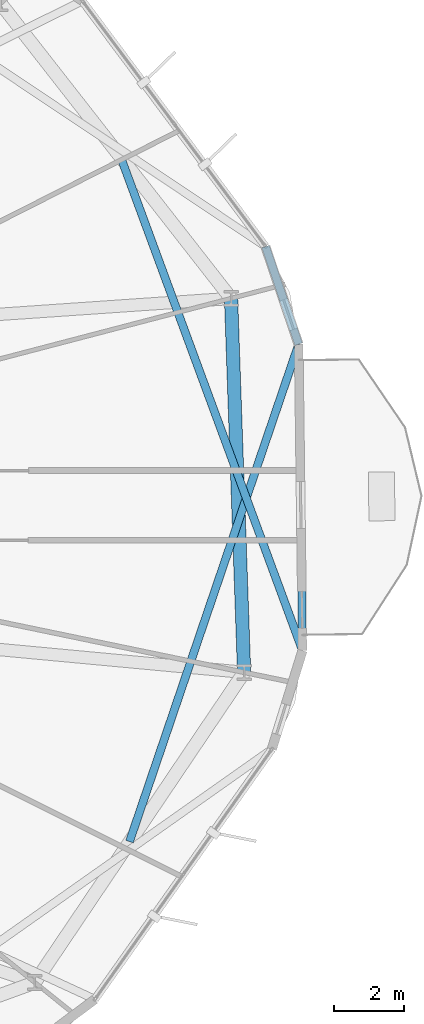
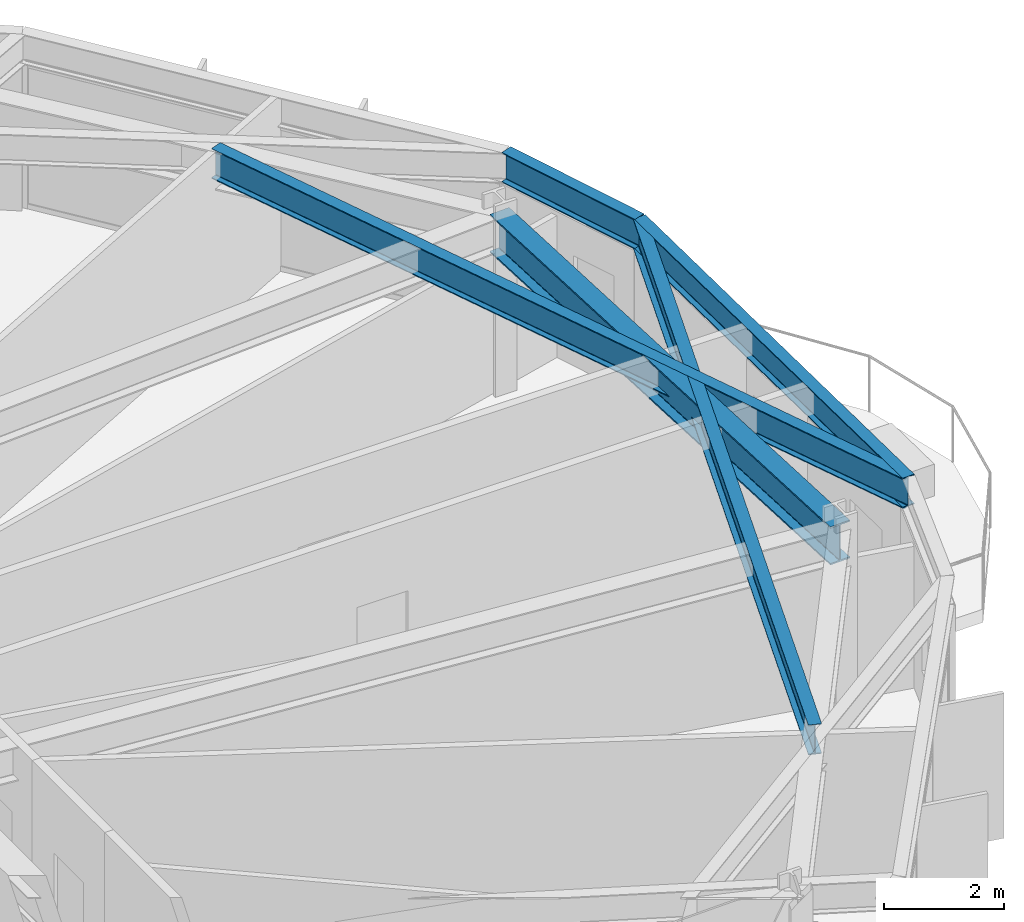
# One storey, part 13 of 25: 5 beams.
"""IFC4 building model written with IfcOpenShell, lengths in metres."""

import ifcopenshell
import ifcopenshell.guid

model = None  # the IFC model being written
_history = None  # IfcOwnerHistory: only IFC2X3 demands one
_inside = {}  # id of a spatial element -> (the spatial element, [elements in it])
_under = {}  # id of a project, library or spatial element -> (it, [spatial elements below it])
_declared = {}  # id of a project -> (the project, [libraries it declares])
_typed = {}  # id of a type object -> (the type object, [elements of that type])
_made_of = {}  # id of a material, layer set ... -> (it, [elements and type objects made of it])


def new_model(schema):
    """Start an empty IFC model of exactly this schema.

    Asked for "IFC4X3", IfcOpenShell would pick the latest addendum, in which some entities
    have other attributes; the version numbers below select the first issue.
    IFC2X3 requires an IfcOwnerHistory on every rooted entity: one is made here for all.
    """
    global model, _history
    if schema == "IFC4X3":
        model = ifcopenshell.file(schema_version=(4, 3, 0, 0))
    else:
        model = ifcopenshell.file(schema=schema)
    _inside.clear()
    _under.clear()
    _declared.clear()
    _typed.clear()
    _made_of.clear()
    _history = None
    if model.schema == "IFC2X3":
        org = make("IfcOrganization", Name="unknown")
        user = make(
            "IfcPersonAndOrganization",
            ThePerson=make("IfcPerson", FamilyName="unknown"),
            TheOrganization=org,
        )
        app = make(
            "IfcApplication",
            ApplicationDeveloper=org,
            Version="unknown",
            ApplicationFullName="unknown",
            ApplicationIdentifier="unknown",
        )
        _history = make(
            "IfcOwnerHistory",
            OwningUser=user,
            OwningApplication=app,
            ChangeAction="ADDED",
            CreationDate=0,
        )
    return model


def make(cls, **values):
    """One entity of the class cls with the attributes given. An attribute that is None is left unset."""
    return model.create_entity(
        cls, **{name: value for name, value in values.items() if value is not None}
    )


def rooted(cls, **values):
    """An entity with a GlobalId (a new one), such as an element, a storey or a relation."""
    return make(cls, GlobalId=ifcopenshell.guid.new(), OwnerHistory=_history, **values)


def si_unit(unit_type, name, prefix=None):
    """IfcSIUnit, for example si_unit("LENGTHUNIT", "METRE", prefix="MILLI")."""
    return make("IfcSIUnit", UnitType=unit_type, Prefix=prefix, Name=name)


def assignment(units):
    """IfcUnitAssignment: the units of a project."""
    return None if units is None else make("IfcUnitAssignment", Units=units)


def point(xyz):
    """IfcCartesianPoint."""
    return None if xyz is None else make("IfcCartesianPoint", Coordinates=xyz)


def direction(xyz):
    """IfcDirection."""
    return None if xyz is None else make("IfcDirection", DirectionRatios=xyz)


def frame(location, z_axis=None, x_axis=None):
    """IfcAxis2Placement3D, a coordinate frame: its origin and axes. An axis left out is left unset."""
    return make(
        "IfcAxis2Placement3D",
        Location=point(location),
        Axis=direction(z_axis),
        RefDirection=direction(x_axis),
    )


def frame_2d(location, x_axis=None):
    """IfcAxis2Placement2D, a coordinate frame in the plane: its origin and x axis."""
    return make(
        "IfcAxis2Placement2D", Location=point(location), RefDirection=direction(x_axis)
    )


def origin():
    """The frame at (0, 0, 0) with its axes left unset."""
    return frame((0.0, 0.0, 0.0))


def origin_2d():
    """The frame at (0, 0) in the plane with its x axis left unset."""
    return frame_2d((0.0, 0.0))


def place(relative_to, where):
    """IfcLocalPlacement: puts the frame where relative to a parent placement (None: the world)."""
    return make(
        "IfcLocalPlacement", PlacementRelTo=relative_to, RelativePlacement=where
    )


def context(
    kind, dimensions, precision=None, world=None, true_north=None, identifier=None
):
    """IfcGeometricRepresentationContext, for example the 3D "Model" context."""
    return make(
        "IfcGeometricRepresentationContext",
        ContextIdentifier=identifier,
        ContextType=kind,
        CoordinateSpaceDimension=dimensions,
        Precision=precision,
        WorldCoordinateSystem=world,
        TrueNorth=true_north,
    )


def subcontext(parent, identifier, kind, view, scale=None):
    """IfcGeometricRepresentationSubContext, for example "Body" below "Model"."""
    return make(
        "IfcGeometricRepresentationSubContext",
        ContextIdentifier=identifier,
        ContextType=kind,
        ParentContext=parent,
        TargetScale=scale,
        TargetView=view,
    )


def project(units=None, contexts=None):
    """IfcProject with its units and contexts."""
    return rooted(
        "IfcProject",
        Name="project",
        RepresentationContexts=contexts,
        UnitsInContext=assignment(units),
    )


def spatial(cls, under=None, at=None, **own):
    """A site, building, storey or space (cls), placed at a placement, below another one or the project."""
    s = rooted(cls, ObjectPlacement=at, **own)
    if under is not None:
        _under.setdefault(under.id(), (under, []))[1].append(s)
    return s


def profile(cls, at=None, kind="AREA", **sizes):
    """A parametric profile (cls). Its sizes go by their IFC names, for example OverallWidth=200.0."""
    return make(cls, ProfileType=kind, Position=at, **sizes)


def i_section(**sizes):
    """IfcIShapeProfileDef."""
    return profile("IfcIShapeProfileDef", **sizes)


def extrude(swept, where, along, depth):
    """IfcExtrudedAreaSolid: the profile swept, set in the frame where, extruded along a direction by depth."""
    return make(
        "IfcExtrudedAreaSolid",
        SweptArea=swept,
        Position=where,
        ExtrudedDirection=direction(along),
        Depth=depth,
    )


def shape(context_of_items, identifier, shape_type, items):
    """IfcShapeRepresentation: the items that make up one representation, for example the "Body"."""
    return make(
        "IfcShapeRepresentation",
        ContextOfItems=context_of_items,
        RepresentationIdentifier=identifier,
        RepresentationType=shape_type,
        Items=items,
    )


def material(Name=None, Category=None):
    """IfcMaterial."""
    return make("IfcMaterial", Name=Name, Category=Category)


def material_profile(
    of_material, cross_section, Name=None, Category=None, Priority=None
):
    """IfcMaterialProfile: a cross section and its material."""
    return make(
        "IfcMaterialProfile",
        Name=Name,
        Material=of_material,
        Profile=cross_section,
        Priority=Priority,
        Category=Category,
    )


def profile_set(profiles, Name=None, composite=None):
    """IfcMaterialProfileSet."""
    return make(
        "IfcMaterialProfileSet",
        Name=Name,
        MaterialProfiles=profiles,
        CompositeProfile=composite,
    )


def made_of(thing, what):
    """Note that an element or type object is made of a material, layer set ...; save() writes the relation."""
    if what is not None:
        _made_of.setdefault(what.id(), (what, []))[1].append(thing)
    return thing


def type_object(cls, material=None, **own):
    """A type object (cls), such as IfcWallType, which elements share."""
    return made_of(rooted(cls, **own), material)


def element(
    cls,
    number,
    at=None,
    inside=None,
    cuts=None,
    type_object=None,
    material=None,
    context=None,
    identifier="Body",
    shape_type=None,
    held_by="IfcProductDefinitionShape",
    body=None,
    shapes=None,
    **own,
):
    """One element of the class cls, such as IfcWall. Its Tag is "e" and its number.

    at: its placement. inside: the storey or other place that contains it. cuts: it is an
    opening in that element (IfcRelVoidsElement). A single representation is given by context,
    identifier, shape_type and body (its items); several are given by shapes. held_by: the class
    of the entity that holds the representations. save() writes the other relations.
    """
    e = rooted(cls, Tag="e%d" % number, ObjectPlacement=at, **own)
    if body is not None:
        shapes = [shape(context, identifier, shape_type, body)]
    if shapes is not None:
        e.Representation = make(held_by, Representations=shapes)
    if inside is not None:
        _inside.setdefault(inside.id(), (inside, []))[1].append(e)
    if cuts is not None:
        rooted(
            "IfcRelVoidsElement", RelatingBuildingElement=cuts, RelatedOpeningElement=e
        )
    if type_object is not None:
        _typed.setdefault(type_object.id(), (type_object, []))[1].append(e)
    return made_of(e, material)


def aggregate(whole, parts):
    """IfcRelAggregates: a whole, such as a stair, and the parts it consists of."""
    return rooted("IfcRelAggregates", RelatingObject=whole, RelatedObjects=parts)


def save(model, path):
    """Write the relations noted so far, then the file.

    IfcRelAggregates (storeys below a building ...), IfcRelContainedInSpatialStructure (elements
    in a storey), IfcRelDefinesByType, IfcRelAssociatesMaterial and IfcRelDeclares: one each for
    every whole, place, type object, material and project.
    """
    for whole, parts in _under.values():
        aggregate(whole, parts)
    for where, things in _inside.values():
        rooted(
            "IfcRelContainedInSpatialStructure",
            RelatedElements=things,
            RelatingStructure=where,
        )
    for kind, things in _typed.values():
        rooted("IfcRelDefinesByType", RelatedObjects=things, RelatingType=kind)
    for what, things in _made_of.values():
        rooted("IfcRelAssociatesMaterial", RelatedObjects=things, RelatingMaterial=what)
    for by, libraries in _declared.values():
        rooted("IfcRelDeclares", RelatingContext=by, RelatedDefinitions=libraries)
    model.write(path)


model = new_model("IFC4")

# Units and contexts
model_context = context("Model", 3, precision=1e-05, world=origin(), true_north=direction((0.0, 1.0)))
body_context = subcontext(model_context, "Body", "Model", "MODEL_VIEW")
ifc_project = project(units=[si_unit("LENGTHUNIT", "METRE"), si_unit("AREAUNIT", "SQUARE_METRE"), si_unit("VOLUMEUNIT", "CUBIC_METRE"), si_unit("PLANEANGLEUNIT", "RADIAN"), si_unit("MASSUNIT", "GRAM", prefix="KILO")], contexts=[model_context])

# Site, building, storey
site_placement = place(None, origin())
site = spatial("IfcSite", under=ifc_project, at=site_placement, CompositionType="ELEMENT")
building_placement = place(site_placement, origin())
building = spatial("IfcBuilding", under=site, at=building_placement, Name="Soratama Intermodal Tower", CompositionType="ELEMENT")
storey_placement = place(building_placement, frame((0.0, 0.0, 106.89990234375)))
storey = spatial("IfcBuildingStorey", under=building, at=storey_placement, Name="L25", CompositionType="ELEMENT", Elevation=106.89990234375)

# Beams
ifc_material_1 = material(Name="Structural steel ASTM A992 Grade 50", Category="steel")
ifc_material_profile_1 = material_profile(ifc_material_1, i_section(OverallWidth=0.382080078125, OverallDepth=0.779052734375, WebThickness=0.01806640625, FlangeThickness=0.030029296875, FilletRadius=0.01806640625, at=origin_2d()), Name="W30X191")
ifc_profile_set_1 = profile_set([ifc_material_profile_1], Name="Structural steel ASTM A992 Grade 50")
beam_type_1 = type_object("IfcBeamType", Name="BM-RING-W30X191", PredefinedType="BEAM", material=ifc_profile_set_1)
beam_1_placement = place(storey_placement, frame((61.72607421875, 20.2041015625, 3.210693359375), z_axis=(-0.034872799059, 0.999391758964, 0.0), x_axis=(-0.999391758964, -0.034872799059, 0.0)))
element("IfcBeam", 1, at=beam_1_placement, inside=storey, type_object=beam_type_1, Name="BM-L25-RING-10", PredefinedType="BEAM", context=body_context, shape_type="SweptSolid", body=[
    extrude(i_section(OverallWidth=0.382080078125, OverallDepth=0.779052734375, WebThickness=0.01806640625, FlangeThickness=0.030029296875, FilletRadius=0.01806640625, at=origin_2d()), origin(), (0.0, 0.0, 1.0), 10.75341796875),
])
ifc_material_2 = material(Name="Structural steel ASTM A992 Grade 50", Category="steel")
ifc_material_profile_2 = material_profile(ifc_material_2, i_section(OverallWidth=0.22900390625, OverallDepth=0.612060546875, WebThickness=0.011962890625, FlangeThickness=0.01953125, FilletRadius=0.012939453125, at=origin_2d()), Name="W24X84")
ifc_profile_set_2 = profile_set([ifc_material_profile_2], Name="Structural steel ASTM A992 Grade 50")
beam_type_2 = type_object("IfcBeamType", Name="BM-SPN-W24X84", PredefinedType="SPANDREL", material=ifc_profile_set_2)
beam_2_placement = place(storey_placement, frame((63.406005859375, 20.827880859375, 3.294189453125), z_axis=(-0.012613357473, 0.999920448442, 0.0), x_axis=(-0.999920448442, -0.012613357473, 0.0)))
element("IfcBeam", 2, at=beam_2_placement, inside=storey, type_object=beam_type_2, Name="BS-L25-F10", PredefinedType="SPANDREL", context=body_context, shape_type="SweptSolid", body=[
    extrude(i_section(OverallWidth=0.22900390625, OverallDepth=0.612060546875, WebThickness=0.011962890625, FlangeThickness=0.01953125, FilletRadius=0.012939453125, at=origin_2d()), origin(), (0.0, 0.0, 1.0), 8.806884765625),
])
beam_3_placement = place(storey_placement, frame((63.294921875, 29.634033203125, 3.294189453125), z_axis=(-0.320940422587, 0.947099385043, 0.0), x_axis=(-0.947099385043, -0.320940422587, 0.0)))
element("IfcBeam", 3, at=beam_3_placement, inside=storey, type_object=beam_type_2, Name="BS-L25-CRN10", PredefinedType="SPANDREL", context=body_context, shape_type="SweptSolid", body=[
    extrude(i_section(OverallWidth=0.22900390625, OverallDepth=0.612060546875, WebThickness=0.011962890625, FlangeThickness=0.01953125, FilletRadius=0.012939453125, at=origin_2d()), origin(), (0.0, 0.0, 1.0), 2.966064453125),
])
ifc_material_3 = material(Name="Structural steel ASTM A992 Grade 50", Category="steel")
ifc_material_profile_3 = material_profile(ifc_material_3, i_section(OverallWidth=0.22900390625, OverallDepth=0.612060546875, WebThickness=0.011962890625, FlangeThickness=0.01953125, FilletRadius=0.012939453125, at=origin_2d()), Name="W24X84")
ifc_profile_set_3 = profile_set([ifc_material_profile_3], Name="Structural steel ASTM A992 Grade 50")
beam_type_3 = type_object("IfcBeamType", Name="BM-TIE-W24X84", PredefinedType="BEAM", material=ifc_profile_set_3)
beam_4_placement = place(storey_placement, frame((58.194091796875, 34.971923828125, 3.294189453125), z_axis=(0.345760900047, -0.938322652395, 0.0), x_axis=(0.938322652395, 0.345760900047, 0.0)))
element("IfcBeam", 4, at=beam_4_placement, inside=storey, type_object=beam_type_3, Name="BM-L25-TIE0-10", PredefinedType="BEAM", context=body_context, shape_type="SweptSolid", body=[
    extrude(i_section(OverallWidth=0.22900390625, OverallDepth=0.612060546875, WebThickness=0.011962890625, FlangeThickness=0.01953125, FilletRadius=0.012939453125, at=origin_2d()), origin(), (0.0, 0.0, 1.0), 15.07373046875),
])
beam_5_placement = place(storey_placement, frame((58.43310546875, 15.340087890625, 3.294189453125), z_axis=(0.322014049946, 0.946734889838, 0.0), x_axis=(-0.946734889838, 0.322014049946, 0.0)))
element("IfcBeam", 5, at=beam_5_placement, inside=storey, type_object=beam_type_3, Name="BM-L25-TIE1-10", PredefinedType="BEAM", context=body_context, shape_type="SweptSolid", body=[
    extrude(i_section(OverallWidth=0.22900390625, OverallDepth=0.612060546875, WebThickness=0.011962890625, FlangeThickness=0.01953125, FilletRadius=0.012939453125, at=origin_2d()), origin(), (0.0, 0.0, 1.0), 15.09814453125),
])

save(model, "model.ifc")
